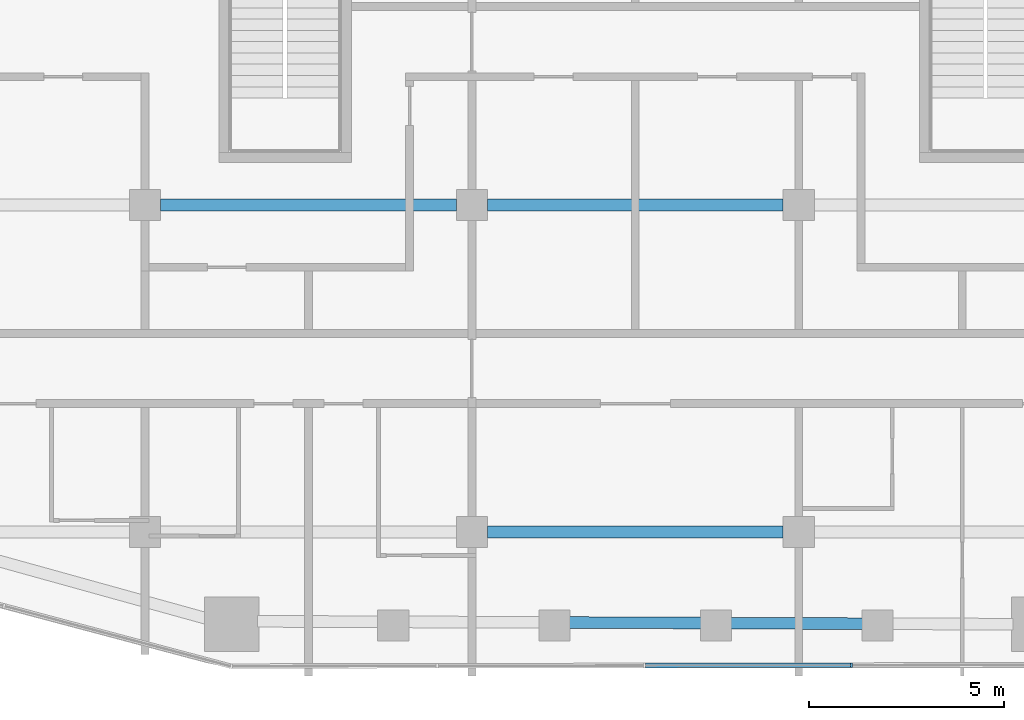
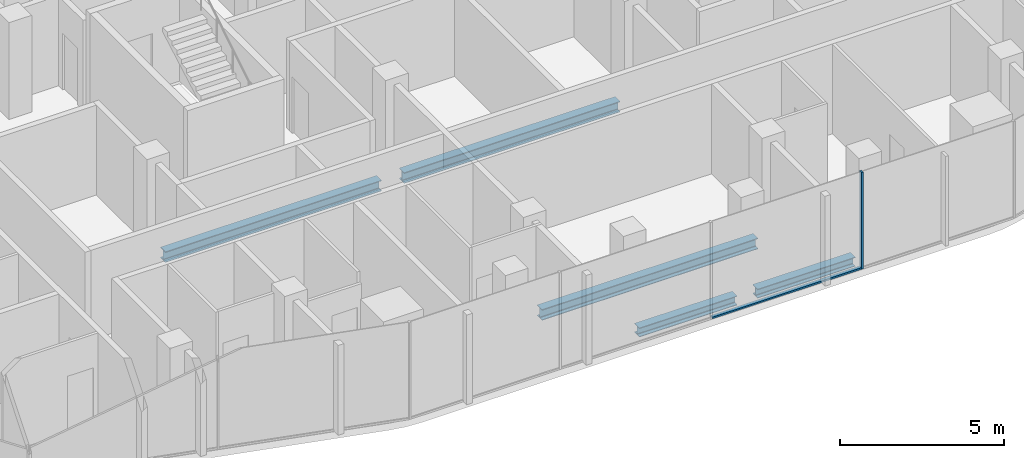
# One storey, part 3 of 22: 5 beams, 2 members, 1 element without a shape of its own.
"""IFC4 building model written with IfcOpenShell, lengths in metres."""

from ifc_helpers import new_model, si_unit, direction, frame, origin, origin_2d, place, context, subcontext, project, spatial, rectangle, i_section, extrude, material, layer, layer_set, material_profile, profile_set, type_object, element, aggregate, save


model = new_model("IFC4")

# Units and contexts
model_context = context("Model", 3, precision=1e-05, world=origin(), true_north=direction((0.0, 1.0)))
body_context = subcontext(model_context, "Body", "Model", "MODEL_VIEW")
ifc_project = project(units=[si_unit("LENGTHUNIT", "METRE"), si_unit("AREAUNIT", "SQUARE_METRE"), si_unit("VOLUMEUNIT", "CUBIC_METRE"), si_unit("PLANEANGLEUNIT", "RADIAN"), si_unit("MASSUNIT", "GRAM", prefix="KILO")], contexts=[model_context])

# Site, building, storey
site_placement = place(None, origin())
site = spatial("IfcSite", under=ifc_project, at=site_placement, CompositionType="ELEMENT")
building_placement = place(site_placement, origin())
building = spatial("IfcBuilding", under=site, at=building_placement, Name="Marenta Gate Hotel Tower", CompositionType="ELEMENT")
storey_placement = place(building_placement, frame((0.0, 0.0, 187.699951171875)))
storey = spatial("IfcBuildingStorey", under=building, at=storey_placement, Name="L42", CompositionType="ELEMENT", Elevation=187.699951171875)

# Beams
ifc_material_1 = material(Name="Steel S355", Category="steel")
ifc_material_profile_1 = material_profile(ifc_material_1, i_section(OverallWidth=0.300048828125, OverallDepth=0.340087890625, WebThickness=0.011962890625, FlangeThickness=0.021484375, FilletRadius=0.027099609375, at=origin_2d()), Name="HEB 340")
ifc_profile_set_1 = profile_set([ifc_material_profile_1], Name="Steel S355")
beam_type_1 = type_object("IfcBeamType", Name="Edge beam HEB 340", PredefinedType="SPANDREL", material=ifc_profile_set_1)
for number, where, z_axis, x_axis, name in (
    (1, (5.860107421875, -27.555419921875, -0.429931640625), (-0.999992599416, 0.003847221457, 0.0), (-0.003847221457, -0.999992599416, 0.0), "L42-EB-33"),
    (2, (1.71337890625, -27.539306640625, -0.429931640625), (-0.999992599416, 0.003847221457, 0.0), (-0.003847221457, -0.999992599416, 0.0), "L42-EB-34"),
):
    element("IfcBeam", number, at=place(storey_placement, frame(where, z_axis=z_axis, x_axis=x_axis)), inside=storey, type_object=beam_type_1, Name=name, PredefinedType="SPANDREL", context=body_context, shape_type="SweptSolid", body=[
        extrude(i_section(OverallWidth=0.300048828125, OverallDepth=0.340087890625, WebThickness=0.011962890625, FlangeThickness=0.021484375, FilletRadius=0.027099609375, at=origin_2d()), origin(), (0.0, 0.0, 1.0), 3.4267578125),
    ])
ifc_material_2 = material(Name="Steel S355", Category="steel")
ifc_material_profile_2 = material_profile(ifc_material_2, i_section(OverallWidth=0.300048828125, OverallDepth=0.39990234375, WebThickness=0.013427734375, FlangeThickness=0.02392578125, FilletRadius=0.027099609375, at=origin_2d()), Name="HEB 400")
ifc_profile_set_2 = profile_set([ifc_material_profile_2], Name="Steel S355")
beam_type_2 = type_object("IfcBeamType", Name="Girder HEB 400", PredefinedType="BEAM", material=ifc_profile_set_2)
beam_1_placement = place(storey_placement, frame((-3.800048828125, -25.199951171875, -0.4599609375), z_axis=(1.0, 0.0, 0.0), x_axis=(0.0, 1.0, 0.0)))
element("IfcBeam", 3, at=beam_1_placement, inside=storey, type_object=beam_type_2, Name="L42-GD-3", PredefinedType="BEAM", context=body_context, shape_type="SweptSolid", body=[
    extrude(i_section(OverallWidth=0.300048828125, OverallDepth=0.39990234375, WebThickness=0.013427734375, FlangeThickness=0.02392578125, FilletRadius=0.027099609375, at=origin_2d()), origin(), (0.0, 0.0, 1.0), 7.60009765625),
])
beam_2_placement = place(storey_placement, frame((-12.199951171875, -16.800048828125, -0.4599609375), z_axis=(1.0, 0.0, 0.0), x_axis=(0.0, 1.0, 0.0)))
element("IfcBeam", 4, at=beam_2_placement, inside=storey, type_object=beam_type_2, Name="L42-GD-8", PredefinedType="BEAM", context=body_context, shape_type="SweptSolid", body=[
    extrude(i_section(OverallWidth=0.300048828125, OverallDepth=0.39990234375, WebThickness=0.013427734375, FlangeThickness=0.02392578125, FilletRadius=0.027099609375, at=origin_2d()), origin(), (0.0, 0.0, 1.0), 7.599853515625),
])
beam_3_placement = place(storey_placement, frame((-3.800048828125, -16.800048828125, -0.4599609375), z_axis=(1.0, 0.0, 0.0), x_axis=(0.0, 1.0, 0.0)))
element("IfcBeam", 5, at=beam_3_placement, inside=storey, type_object=beam_type_2, Name="L42-GD-9", PredefinedType="BEAM", context=body_context, shape_type="SweptSolid", body=[
    extrude(i_section(OverallWidth=0.300048828125, OverallDepth=0.39990234375, WebThickness=0.013427734375, FlangeThickness=0.02392578125, FilletRadius=0.027099609375, at=origin_2d()), origin(), (0.0, 0.0, 1.0), 7.60009765625),
])

# Curtain wall, members
ifc_material_3 = material(Name="Tinted insulated glass in bronze anodised frame", Category="glass")
ifc_layer = layer(ifc_material_3, 0.1201171875)
ifc_layer_set = layer_set([ifc_layer], Name="Tinted insulated glass in bronze anodised frame")
curtain_wall_type = type_object("IfcCurtainWallType", Name="Tower unitised curtain wall CW1", PredefinedType="NOTDEFINED", material=ifc_layer_set)
curtain_wall_placement = place(storey_placement, origin())
curtain_wall = element("IfcCurtainWall", 6, at=curtain_wall_placement, inside=storey, type_object=curtain_wall_type, Name="CW1 run G07", PredefinedType="NOTDEFINED")
ifc_material_4 = material(Name="Bronze anodised aluminium", Category="aluminium")
ifc_material_profile_3 = material_profile(ifc_material_4, rectangle(XDim=0.1201171875, YDim=0.06005859375, at=origin_2d()), Name="Mullion CW1 60x120 bronze anodised aluminium")
ifc_profile_set_3 = profile_set([ifc_material_profile_3], Name="Bronze anodised aluminium")
member_type_1 = type_object("IfcMemberType", Name="Mullion CW1 60x120 bronze anodised aluminium", PredefinedType="MULLION", material=ifc_profile_set_3)
member_1_placement = place(storey_placement, frame((5.5537109375, -28.621337890625, 0.0), z_axis=(0.0, 0.0, 1.0), x_axis=(-0.001644757804, 0.999998647385, 0.0)))
member_1 = element("IfcMember", 7, at=member_1_placement, type_object=member_type_1, Name="CW1 mullion 4", PredefinedType="MULLION", context=body_context, shape_type="SweptSolid", body=[
    extrude(rectangle(XDim=0.1201171875, YDim=0.06005859375, at=origin_2d()), origin(), (0.0, 0.0, 1.0), 3.60009765625),
])
ifc_material_5 = material(Name="Bronze anodised aluminium", Category="aluminium")
ifc_material_profile_4 = material_profile(ifc_material_5, rectangle(XDim=0.1201171875, YDim=0.06005859375, at=origin_2d()), Name="Transom CW1 60x120 bronze anodised aluminium")
ifc_profile_set_4 = profile_set([ifc_material_profile_4], Name="Bronze anodised aluminium")
member_type_2 = type_object("IfcMemberType", Name="Transom CW1 60x120 bronze anodised aluminium", PredefinedType="USERDEFINED", material=ifc_profile_set_4)
member_2_placement = place(storey_placement, frame((0.263916015625, -28.6298828125, 0.030029296875), z_axis=(0.999998680369, 0.001624580106, 0.0), x_axis=(-0.001624580106, 0.999998680369, 0.0)))
member_2 = element("IfcMember", 8, at=member_2_placement, type_object=member_type_2, Name="CW1 transom 3.1", ObjectType="TRANSOM", PredefinedType="USERDEFINED", context=body_context, shape_type="SweptSolid", body=[
    extrude(rectangle(XDim=0.1201171875, YDim=0.06005859375, at=origin_2d()), origin(), (0.0, 0.0, 1.0), 5.259765625),
])
aggregate(curtain_wall, [member_1, member_2])

save(model, "model.ifc")
